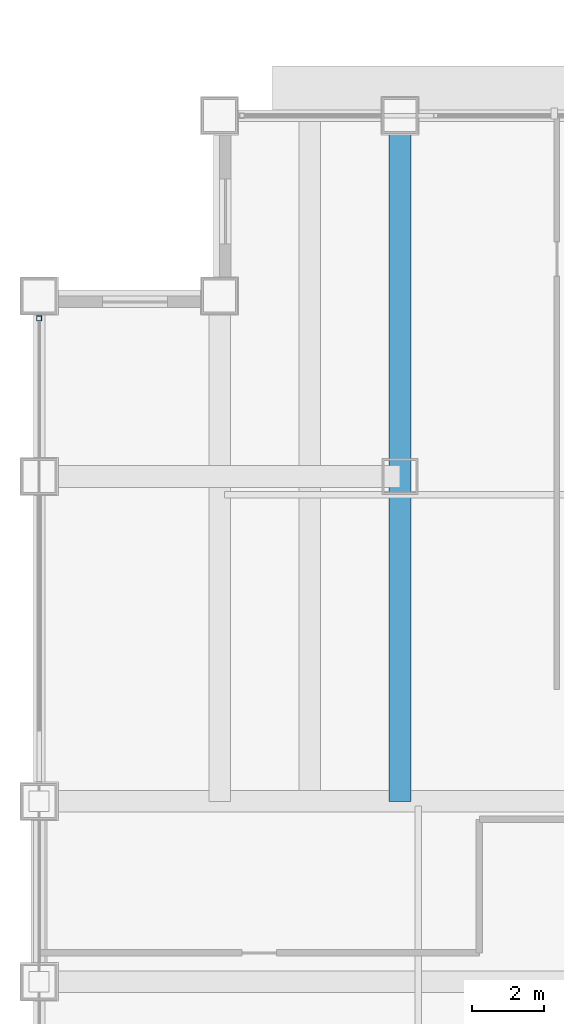
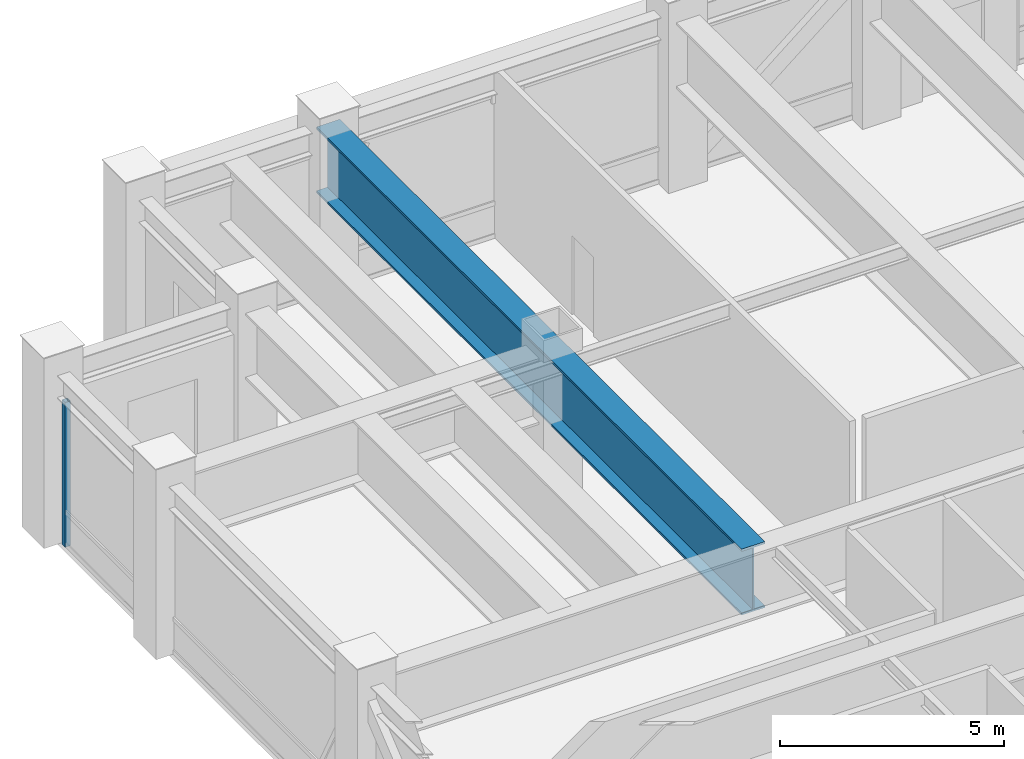
# One storey, part 14 of 33: 1 beam, 1 member, 1 element without a shape of its own.
"""IFC4 building model written with IfcOpenShell, lengths in metres."""

from ifc_helpers import new_model, si_unit, direction, frame, origin, origin_2d, place, context, subcontext, project, spatial, hollow_rectangle, i_section, extrude, source, transform, mapped, material, material_profile, profile_set, type_object, element, aggregate, save


model = new_model("IFC4")

# Units and contexts
model_context = context("Model", 3, precision=1e-05, world=origin(), true_north=direction((0.0, 1.0)))
body_context = subcontext(model_context, "Body", "Model", "MODEL_VIEW")
ifc_project = project(units=[si_unit("LENGTHUNIT", "METRE"), si_unit("AREAUNIT", "SQUARE_METRE"), si_unit("VOLUMEUNIT", "CUBIC_METRE"), si_unit("PLANEANGLEUNIT", "RADIAN"), si_unit("MASSUNIT", "GRAM", prefix="KILO")], contexts=[model_context])

# Site, building, storey
site_placement = place(None, origin())
site = spatial("IfcSite", under=ifc_project, at=site_placement, CompositionType="ELEMENT")
building_placement = place(site_placement, origin())
building = spatial("IfcBuilding", under=site, at=building_placement, Name="Khorayat Bourse Tower", CompositionType="ELEMENT")
storey_placement = place(building_placement, frame((0.0, 0.0, 263.10009765625)))
storey = spatial("IfcBuildingStorey", under=building, at=storey_placement, Name="L62", CompositionType="ELEMENT", Elevation=263.10009765625)

# Beam
ifc_material_1 = material(Name="Steel EN 10025-4 S460M", Category="steel")
ifc_material_profile_1 = material_profile(ifc_material_1, i_section(OverallWidth=0.60009765625, OverallDepth=1.800048828125, WebThickness=0.031982421875, FlangeThickness=0.06005859375, at=origin_2d()), Name="PG 1800x600x32x60")
ifc_profile_set_1 = profile_set([ifc_material_profile_1], Name="Steel EN 10025-4 S460M")
beam_type = type_object("IfcBeamType", Name="BM-TR-1800", PredefinedType="BEAM", material=ifc_profile_set_1)
shared_shape_1 = source(origin(), body_context, "Body", "SweptSolid", [
    extrude(i_section(OverallWidth=0.60009765625, OverallDepth=1.800048828125, WebThickness=0.031982421875, FlangeThickness=0.06005859375, at=origin_2d()), origin(), (0.0, 0.0, 1.0), 19.0),
])
beam_placement = place(storey_placement, frame((-20.0, 11.0, 3.699951171875), z_axis=(0.0, 1.0, 0.0), x_axis=(-1.0, 0.0, 0.0)))
element("IfcBeam", 1, at=beam_placement, inside=storey, type_object=beam_type, Name="L62 BM-TR-1800 BM-L62-CNRY-085", PredefinedType="BEAM", context=body_context, shape_type="MappedRepresentation", body=[
    mapped(shared_shape_1, transform((0.0, 0.0, 0.0), scale=1.0)),
])

# Curtain wall, member
ifc_material_2 = material(Name="Aluminium EN AW-6063 T6", Category="aluminium")
curtain_wall_type = type_object("IfcCurtainWallType", Name="CW-SYS-05", PredefinedType="NOTDEFINED", material=ifc_material_2)
curtain_wall_placement = place(storey_placement, origin())
curtain_wall = element("IfcCurtainWall", 2, at=curtain_wall_placement, inside=storey, type_object=curtain_wall_type, Name="L62 Curtain Wall CW-L62-W1", PredefinedType="NOTDEFINED")
ifc_material_profile_2 = material_profile(ifc_material_2, hollow_rectangle(XDim=0.139892578125, YDim=0.139892578125, WallThickness=0.006103515625, at=origin_2d()), Name="ALU 140x140x6")
ifc_profile_set_2 = profile_set([ifc_material_profile_2], Name="Aluminium EN AW-6063 T6")
member_type = type_object("IfcMemberType", Name="CWM-VERT-140", PredefinedType="MULLION", material=ifc_profile_set_2)
shared_shape_2 = source(origin(), body_context, "Body", "SweptSolid", [
    extrude(hollow_rectangle(XDim=0.139892578125, YDim=0.139892578125, WallThickness=0.006103515625, at=origin_2d()), origin(), (0.0, 0.0, 1.0), 3.949951171875),
])
member_placement = place(storey_placement, frame((-30.0, 24.3798828125, 0.0), z_axis=(0.0, 0.0, 1.0), x_axis=(-1.0, 0.0, 0.0)))
member = element("IfcMember", 3, at=member_placement, type_object=member_type, Name="CW-L62-W1 Vertical Mullion 3", PredefinedType="MULLION", context=body_context, shape_type="MappedRepresentation", body=[
    mapped(shared_shape_2, transform((0.0, 0.0, 0.0), scale=1.0)),
])
aggregate(curtain_wall, [member])

save(model, "model.ifc")
